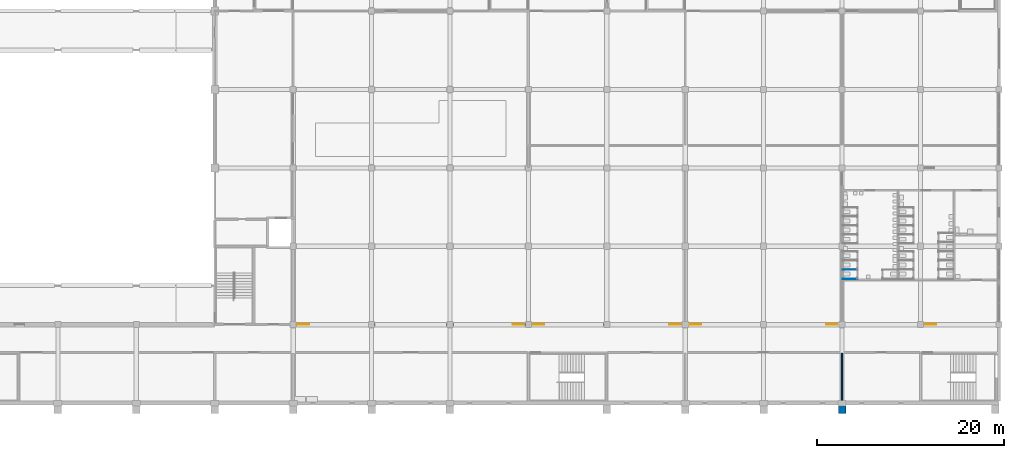
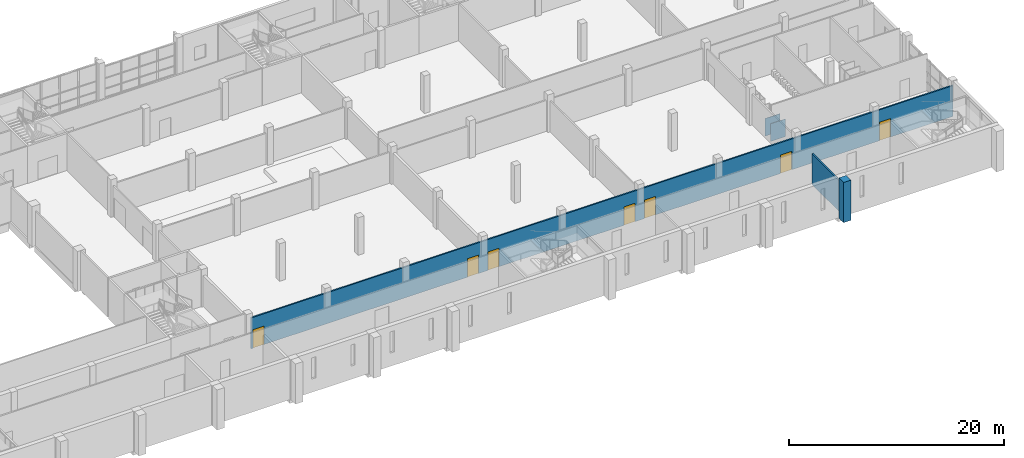
# One storey, part 30 of 64: 7 doors, 5 walls, 7 openings.
"""IFC4 building model written with IfcOpenShell, lengths in metres."""

from ifc_helpers import new_model, si_unit, direction, frame, frame_2d, origin, place, context, subcontext, project, spatial, rectangle, extrude, material, layer, layer_set, type_object, element, fill, save


model = new_model("IFC4")

# Units and contexts
model_context = context("Model", 3, precision=1e-05, world=origin(), true_north=direction((0.0, 1.0)))
body_context = subcontext(model_context, "Body", "Model", "MODEL_VIEW")
ifc_project = project(units=[si_unit("LENGTHUNIT", "METRE"), si_unit("AREAUNIT", "SQUARE_METRE"), si_unit("VOLUMEUNIT", "CUBIC_METRE"), si_unit("PLANEANGLEUNIT", "RADIAN"), si_unit("MASSUNIT", "GRAM", prefix="KILO")], contexts=[model_context])

# Site, building, storey
site_placement = place(None, origin())
site = spatial("IfcSite", under=ifc_project, at=site_placement, CompositionType="ELEMENT")
building_placement = place(site_placement, origin())
building = spatial("IfcBuilding", under=site, at=building_placement, Name="Rulbaag Community and Learning Centre", CompositionType="ELEMENT")
storey_placement = place(building_placement, frame((0.0, 0.0, 5.39990234375)))
storey = spatial("IfcBuildingStorey", under=building, at=storey_placement, Name="L01", CompositionType="ELEMENT", Elevation=5.39990234375)

# Walls
ifc_material_1 = material(Name="High pressure laminate", Category="wood")
ifc_layer_1 = layer(ifc_material_1, 0.0400390625)
ifc_layer_set_1 = layer_set([ifc_layer_1], Name="CP-40")
wall_type_1 = type_object("IfcWallType", Name="CP-40", PredefinedType="PARTITIONING", material=ifc_layer_set_1)
for number, where, z_axis, x_axis, name in (
    (1, (151.27490234375, 13.294921875, 0.0), (0.0, 0.0, 1.0), (1.0, 0.0, 0.0), "Cubicle partition"),
    (2, (151.27490234375, 14.2900390625, 0.0), (0.0, 0.0, 1.0), (1.0, 0.0, 0.0), "Cubicle partition"),
):
    element("IfcWall", number, at=place(storey_placement, frame(where, z_axis=z_axis, x_axis=x_axis)), inside=storey, type_object=wall_type_1, Name=name, PredefinedType="PARTITIONING", context=body_context, shape_type="SweptSolid", body=[
        extrude(rectangle(XDim=1.59521484375, YDim=0.0400390625, at=frame_2d((0.797607421875, 0.0))), origin(), (0.0, 0.0, 1.0), 2.0),
    ])
ifc_material_2 = material(Name="Concrete M40", Category="concrete")
ifc_layer_2 = layer(ifc_material_2, 0.800048828125)
ifc_layer_set_2 = layer_set([ifc_layer_2], Name="EW-BTR")
wall_type_2 = type_object("IfcWallType", Name="EW-BTR", PredefinedType="SOLIDWALL", material=ifc_layer_set_2)
wall_1_placement = place(storey_placement, frame((151.199951171875, -0.22509765625, -0.2998046875), z_axis=(0.0, 0.0, 1.0), x_axis=(0.0, -1.0, 0.0)))
element("IfcWall", 3, at=wall_1_placement, inside=storey, type_object=wall_type_2, Name="Buttress pier", PredefinedType="SOLIDWALL", context=body_context, shape_type="SweptSolid", body=[
    extrude(rectangle(XDim=0.89990234375, YDim=0.800048828125, at=frame_2d((0.449951171875, 0.0))), origin(), (0.0, 0.0, 1.0), 4.5498046875),
])

# Wall, openings, doors
ifc_material_3 = material(Name="Concrete blockwork", Category="masonry")
ifc_layer_3 = layer(ifc_material_3, 0.14990234375)
ifc_layer_set_3 = layer_set([ifc_layer_3], Name="IP-150 PARTITION 150")
wall_type_3 = type_object("IfcWallType", Name="IP-150 PARTITION 150", PredefinedType="PARTITIONING", material=ifc_layer_set_3)
wall_2_placement = place(storey_placement, frame((92.705078125, 8.39990234375, 0.0), z_axis=(0.0, 0.0, 1.0), x_axis=(1.0, 0.0, 0.0)))
wall_2 = element("IfcWall", 4, at=wall_2_placement, inside=storey, type_object=wall_type_3, Name="Partition L01 6.2", PredefinedType="PARTITIONING", context=body_context, shape_type="SweptSolid", body=[
    extrude(rectangle(XDim=75.294921875, YDim=0.14990234375, at=frame_2d((37.6474609375, 0.0))), origin(), (0.0, 0.0, 1.0), 3.5),
])
opening_1_placement = place(wall_2_placement, frame((0.195068359375, 0.0, 0.0)))
opening_1 = element("IfcOpeningElement", 5, at=opening_1_placement, cuts=wall_2, Name="Opening L01-D072", PredefinedType="OPENING", context=body_context, shape_type="SweptSolid", body=[
    extrude(rectangle(XDim=1.199951171875, YDim=2.10009765625, at=frame_2d((0.60009765625, 1.050048828125))), frame((0.0, 0.0849609375, 0.0), z_axis=(0.0, -1.0, 0.0), x_axis=(1.0, 0.0, 0.0)), (0.0, 0.0, 1.0), 0.169921875),
])
opening_2_placement = place(wall_2_placement, frame((23.195068359375, 0.0, 0.0)))
opening_2 = element("IfcOpeningElement", 6, at=opening_2_placement, cuts=wall_2, Name="Opening L01-D078", PredefinedType="OPENING", context=body_context, shape_type="SweptSolid", body=[
    extrude(rectangle(XDim=1.199951171875, YDim=2.10009765625, at=frame_2d((0.60009765625, 1.050048828125))), frame((0.0, 0.0849609375, 0.0), z_axis=(0.0, -1.0, 0.0), x_axis=(1.0, 0.0, 0.0)), (0.0, 0.0, 1.0), 0.169921875),
])
opening_3_placement = place(wall_2_placement, frame((25.39501953125, 0.0, 0.0)))
opening_3 = element("IfcOpeningElement", 7, at=opening_3_placement, cuts=wall_2, Name="Opening L01-D082", PredefinedType="OPENING", context=body_context, shape_type="SweptSolid", body=[
    extrude(rectangle(XDim=1.199951171875, YDim=2.10009765625, at=frame_2d((0.60009765625, 1.050048828125))), frame((0.0, 0.0849609375, 0.0), z_axis=(0.0, -1.0, 0.0), x_axis=(1.0, 0.0, 0.0)), (0.0, 0.0, 1.0), 0.169921875),
])
opening_4_placement = place(wall_2_placement, frame((39.9951171875, 0.0, 0.0)))
opening_4 = element("IfcOpeningElement", 8, at=opening_4_placement, cuts=wall_2, Name="Opening L01-D089", PredefinedType="OPENING", context=body_context, shape_type="SweptSolid", body=[
    extrude(rectangle(XDim=1.199951171875, YDim=2.10009765625, at=frame_2d((0.60009765625, 1.050048828125))), frame((0.0, 0.0849609375, 0.0), z_axis=(0.0, -1.0, 0.0), x_axis=(1.0, 0.0, 0.0)), (0.0, 0.0, 1.0), 0.169921875),
])
opening_5_placement = place(wall_2_placement, frame((42.195068359375, 0.0, 0.0)))
opening_5 = element("IfcOpeningElement", 9, at=opening_5_placement, cuts=wall_2, Name="Opening L01-D093", PredefinedType="OPENING", context=body_context, shape_type="SweptSolid", body=[
    extrude(rectangle(XDim=1.199951171875, YDim=2.10009765625, at=frame_2d((0.60009765625, 1.050048828125))), frame((0.0, 0.0849609375, 0.0), z_axis=(0.0, -1.0, 0.0), x_axis=(1.0, 0.0, 0.0)), (0.0, 0.0, 1.0), 0.169921875),
])
opening_6_placement = place(wall_2_placement, frame((56.794921875, 0.0, 0.0)))
opening_6 = element("IfcOpeningElement", 10, at=opening_6_placement, cuts=wall_2, Name="Opening L01-D109", PredefinedType="OPENING", context=body_context, shape_type="SweptSolid", body=[
    extrude(rectangle(XDim=1.199951171875, YDim=2.10009765625, at=frame_2d((0.60009765625, 1.050048828125))), frame((0.0, 0.0849609375, 0.0), z_axis=(0.0, -1.0, 0.0), x_axis=(1.0, 0.0, 0.0)), (0.0, 0.0, 1.0), 0.169921875),
])
opening_7_placement = place(wall_2_placement, frame((67.39501953125, 0.0, 0.0)))
opening_7 = element("IfcOpeningElement", 11, at=opening_7_placement, cuts=wall_2, Name="Opening L01-D144", PredefinedType="OPENING", context=body_context, shape_type="SweptSolid", body=[
    extrude(rectangle(XDim=1.199951171875, YDim=2.10009765625, at=frame_2d((0.60009765625, 1.050048828125))), frame((0.0, 0.0849609375, 0.0), z_axis=(0.0, -1.0, 0.0), x_axis=(1.0, 0.0, 0.0)), (0.0, 0.0, 1.0), 0.169921875),
])
ifc_material_4 = material(Name="Timber", Category="wood")
door_type = type_object("IfcDoorType", Name="DC-1200 CLASSROOM DOOR 1200 x 2100", OperationType="SINGLE_SWING_LEFT", PredefinedType="DOOR", material=ifc_material_4)
door_1_placement = place(opening_1_placement, origin())
door_1 = element("IfcDoor", 12, at=door_1_placement, inside=storey, type_object=door_type, Name="Door L01-D072", OperationType="SINGLE_SWING_LEFT", OverallHeight=2.10009765625, OverallWidth=1.199951171875, PredefinedType="DOOR", context=body_context, shape_type="SweptSolid", body=[
    extrude(rectangle(XDim=1.199951171875, YDim=2.10009765625, at=frame_2d((0.60009765625, 1.050048828125))), frame((0.0, 0.02490234375, 0.0), z_axis=(0.0, -1.0, 0.0), x_axis=(1.0, 0.0, 0.0)), (0.0, 0.0, 1.0), 0.050048828125),
])
fill(opening_1, door_1)
door_2_placement = place(opening_2_placement, origin())
door_2 = element("IfcDoor", 13, at=door_2_placement, inside=storey, type_object=door_type, Name="Door L01-D078", OperationType="SINGLE_SWING_LEFT", OverallHeight=2.10009765625, OverallWidth=1.199951171875, PredefinedType="DOOR", context=body_context, shape_type="SweptSolid", body=[
    extrude(rectangle(XDim=1.199951171875, YDim=2.10009765625, at=frame_2d((0.60009765625, 1.050048828125))), frame((0.0, 0.02490234375, 0.0), z_axis=(0.0, -1.0, 0.0), x_axis=(1.0, 0.0, 0.0)), (0.0, 0.0, 1.0), 0.050048828125),
])
fill(opening_2, door_2)
door_3_placement = place(opening_3_placement, origin())
door_3 = element("IfcDoor", 14, at=door_3_placement, inside=storey, type_object=door_type, Name="Door L01-D082", OperationType="SINGLE_SWING_LEFT", OverallHeight=2.10009765625, OverallWidth=1.199951171875, PredefinedType="DOOR", context=body_context, shape_type="SweptSolid", body=[
    extrude(rectangle(XDim=1.199951171875, YDim=2.10009765625, at=frame_2d((0.60009765625, 1.050048828125))), frame((0.0, 0.02490234375, 0.0), z_axis=(0.0, -1.0, 0.0), x_axis=(1.0, 0.0, 0.0)), (0.0, 0.0, 1.0), 0.050048828125),
])
fill(opening_3, door_3)
door_4_placement = place(opening_4_placement, origin())
door_4 = element("IfcDoor", 15, at=door_4_placement, inside=storey, type_object=door_type, Name="Door L01-D089", OperationType="SINGLE_SWING_RIGHT", OverallHeight=2.10009765625, OverallWidth=1.199951171875, PredefinedType="DOOR", context=body_context, shape_type="SweptSolid", body=[
    extrude(rectangle(XDim=1.199951171875, YDim=2.10009765625, at=frame_2d((0.60009765625, 1.050048828125))), frame((0.0, 0.02490234375, 0.0), z_axis=(0.0, -1.0, 0.0), x_axis=(1.0, 0.0, 0.0)), (0.0, 0.0, 1.0), 0.050048828125),
])
fill(opening_4, door_4)
door_5_placement = place(opening_5_placement, origin())
door_5 = element("IfcDoor", 16, at=door_5_placement, inside=storey, type_object=door_type, Name="Door L01-D093", OperationType="SINGLE_SWING_RIGHT", OverallHeight=2.10009765625, OverallWidth=1.199951171875, PredefinedType="DOOR", context=body_context, shape_type="SweptSolid", body=[
    extrude(rectangle(XDim=1.199951171875, YDim=2.10009765625, at=frame_2d((0.60009765625, 1.050048828125))), frame((0.0, 0.02490234375, 0.0), z_axis=(0.0, -1.0, 0.0), x_axis=(1.0, 0.0, 0.0)), (0.0, 0.0, 1.0), 0.050048828125),
])
fill(opening_5, door_5)
door_6_placement = place(opening_6_placement, origin())
door_6 = element("IfcDoor", 17, at=door_6_placement, inside=storey, type_object=door_type, Name="Door L01-D109", OperationType="SINGLE_SWING_RIGHT", OverallHeight=2.10009765625, OverallWidth=1.199951171875, PredefinedType="DOOR", context=body_context, shape_type="SweptSolid", body=[
    extrude(rectangle(XDim=1.199951171875, YDim=2.10009765625, at=frame_2d((0.60009765625, 1.050048828125))), frame((0.0, 0.02490234375, 0.0), z_axis=(0.0, -1.0, 0.0), x_axis=(1.0, 0.0, 0.0)), (0.0, 0.0, 1.0), 0.050048828125),
])
fill(opening_6, door_6)
door_7_placement = place(opening_7_placement, origin())
door_7 = element("IfcDoor", 18, at=door_7_placement, inside=storey, type_object=door_type, Name="Door L01-D144", OperationType="SINGLE_SWING_LEFT", OverallHeight=2.10009765625, OverallWidth=1.199951171875, PredefinedType="DOOR", context=body_context, shape_type="SweptSolid", body=[
    extrude(rectangle(XDim=1.199951171875, YDim=2.10009765625, at=frame_2d((0.60009765625, 1.050048828125))), frame((0.0, 0.02490234375, 0.0), z_axis=(0.0, -1.0, 0.0), x_axis=(1.0, 0.0, 0.0)), (0.0, 0.0, 1.0), 0.050048828125),
])
fill(opening_7, door_7)

# Wall
wall_3_placement = place(storey_placement, frame((151.199951171875, 0.22509765625, 0.0), z_axis=(0.0, 0.0, 1.0), x_axis=(0.0, 1.0, 0.0)))
element("IfcWall", 19, at=wall_3_placement, inside=storey, type_object=wall_type_3, Name="Partition L01 82", PredefinedType="PARTITIONING", context=body_context, shape_type="SweptSolid", body=[
    extrude(rectangle(XDim=5.099853515625, YDim=0.14990234375, at=frame_2d((2.5498046875, 0.0))), origin(), (0.0, 0.0, 1.0), 3.5),
])

save(model, "model.ifc")
